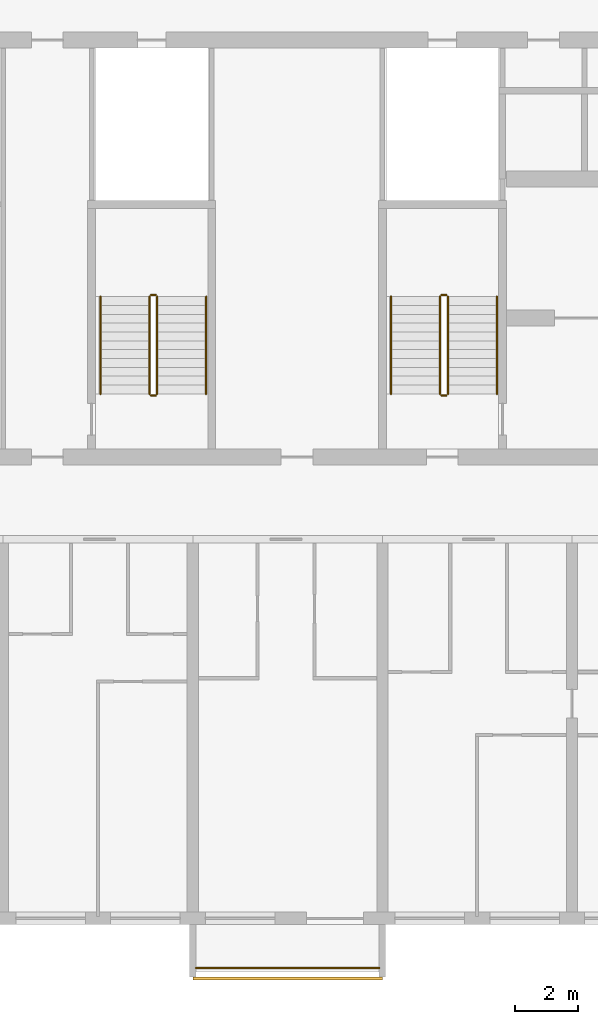
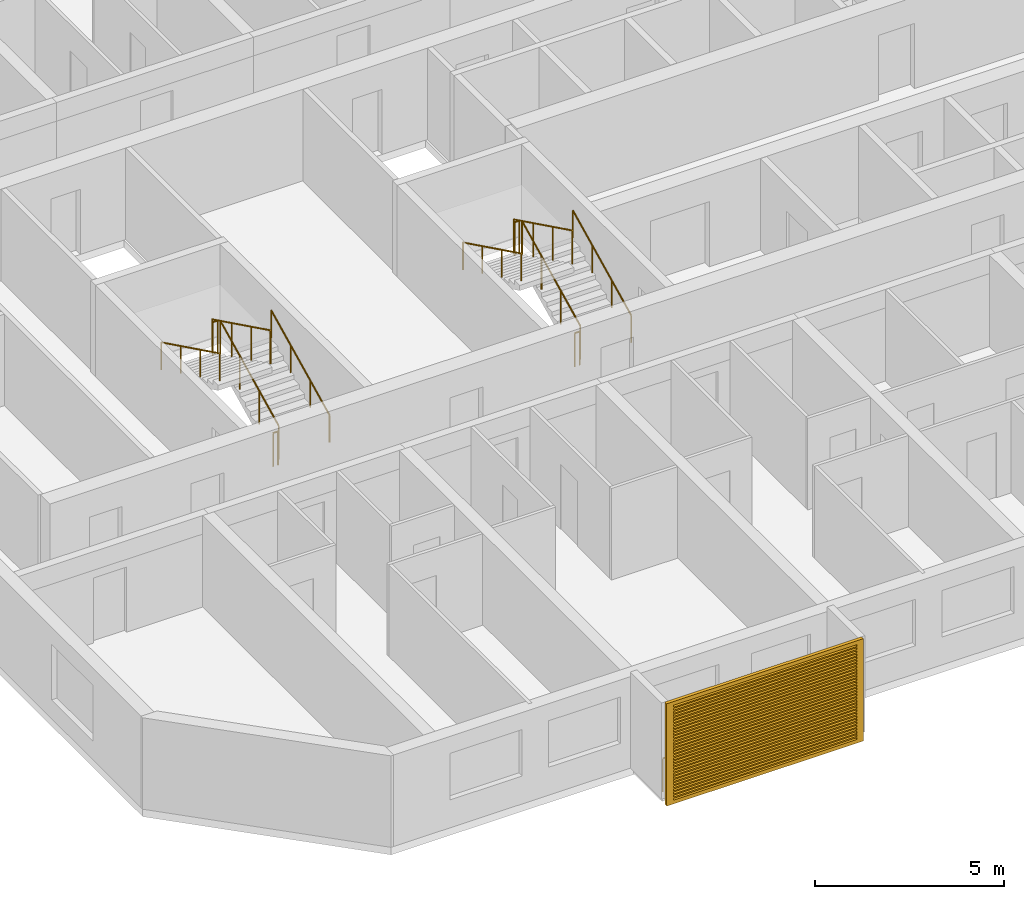
# One storey, part 15 of 24: 13 railings, 1 shading device.
"""IFC4 building model written with IfcOpenShell, lengths in metres."""

from ifc_helpers import new_model, si_unit, direction, frame, origin, origin_2d, place, context, subcontext, project, spatial, polyline, circle, outline, extrude, source, transform, mapped, material, material_profile, profile_set, type_object, element, save


model = new_model("IFC4")

# Units and contexts
model_context = context("Model", 3, precision=1e-05, world=origin(), true_north=direction((0.0, 1.0)))
body_context = subcontext(model_context, "Body", "Model", "MODEL_VIEW")
ifc_project = project(units=[si_unit("LENGTHUNIT", "METRE"), si_unit("AREAUNIT", "SQUARE_METRE"), si_unit("VOLUMEUNIT", "CUBIC_METRE"), si_unit("PLANEANGLEUNIT", "RADIAN"), si_unit("MASSUNIT", "GRAM", prefix="KILO")], contexts=[model_context])

# Site, building, storey
site_placement = place(None, origin())
site = spatial("IfcSite", under=ifc_project, at=site_placement, CompositionType="ELEMENT")
building_placement = place(site_placement, origin())
building = spatial("IfcBuilding", under=site, at=building_placement, Name="Poui Terraces", CompositionType="ELEMENT")
storey_placement = place(building_placement, frame((0.0, 0.0, 112.5)))
storey = spatial("IfcBuildingStorey", under=building, at=storey_placement, Name="L31", CompositionType="ELEMENT", Elevation=112.5)

# Railings
ifc_material_1 = material(Name="Painted steel fretwork", Category="steel")
railing_type_1 = type_object("IfcRailingType", Name="BALCONY GUARD 1100", PredefinedType="GUARDRAIL", material=ifc_material_1)
railing_1_placement = place(storey_placement, frame((24.10009765625, -1.570068359375, 0.0)))
element("IfcRailing", 1, at=railing_1_placement, inside=storey, type_object=railing_type_1, Name="BALCONY GUARD", PredefinedType="GUARDRAIL", context=body_context, shape_type="SweptSolid", body=[
    extrude(circle(Radius=0.02392578125, at=origin_2d()), frame((0.0, 0.0, 1.076171875), z_axis=(1.0, 0.0, 0.0), x_axis=(0.0, 1.0, 0.0)), (0.0, 0.0, 1.0), 5.7998046875),
    extrude(circle(Radius=0.02099609375, at=origin_2d()), origin(), (0.0, 0.0, 1.0), 1.052001953125),
    extrude(circle(Radius=0.02099609375, at=origin_2d()), frame((0.966552734375, 0.0, 0.0)), (0.0, 0.0, 1.0), 1.052001953125),
    extrude(circle(Radius=0.02099609375, at=origin_2d()), frame((1.933349609375, 0.0, 0.0)), (0.0, 0.0, 1.0), 1.052001953125),
    extrude(circle(Radius=0.02099609375, at=origin_2d()), frame((2.89990234375, 0.0, 0.0)), (0.0, 0.0, 1.0), 1.052001953125),
    extrude(circle(Radius=0.02099609375, at=origin_2d()), frame((3.866455078125, 0.0, 0.0)), (0.0, 0.0, 1.0), 1.052001953125),
    extrude(circle(Radius=0.02099609375, at=origin_2d()), frame((4.833251953125, 0.0, 0.0)), (0.0, 0.0, 1.0), 1.052001953125),
    extrude(circle(Radius=0.02099609375, at=origin_2d()), frame((5.7998046875, 0.0, 0.0)), (0.0, 0.0, 1.0), 1.052001953125),
])
ifc_material_2 = material(Name="Galvanised steel balustrade", Category="steel")
railing_type_2 = type_object("IfcRailingType", Name="STAIR GUARD 1100", PredefinedType="GUARDRAIL", material=ifc_material_2)
railing_2_placement = place(storey_placement, frame((32.074951171875, 16.60009765625, 0.137451171875)))
element("IfcRailing", 2, at=railing_2_placement, inside=storey, type_object=railing_type_2, Name="L31 ST-CW stair guard 1", PredefinedType="GUARDRAIL", context=body_context, shape_type="SweptSolid", body=[
    extrude(circle(Radius=0.02392578125, at=origin_2d()), frame((0.0, 0.0, 1.076171875), z_axis=(0.0, 0.897606190399, 0.440798283751), x_axis=(-1.0, 0.0, 0.0)), (0.0, 0.0, 1.0), 3.43115234375),
    extrude(circle(Radius=0.02099609375, at=origin_2d()), origin(), (0.0, 0.0, 1.0), 1.052001953125),
    extrude(circle(Radius=0.02099609375, at=origin_2d()), frame((0.0, 1.026611328125, 0.504150390625)), (0.0, 0.0, 1.0), 1.052001953125),
    extrude(circle(Radius=0.02099609375, at=origin_2d()), frame((0.0, 2.05322265625, 1.00830078125)), (0.0, 0.0, 1.0), 1.052001953125),
    extrude(circle(Radius=0.02099609375, at=origin_2d()), frame((0.0, 3.079833984375, 1.512451171875)), (0.0, 0.0, 1.0), 1.052001953125),
])
railing_3_placement = place(storey_placement, frame((32.02490234375, 19.72998046875, 1.64990234375)))
element("IfcRailing", 3, at=railing_3_placement, inside=storey, type_object=railing_type_2, Name="L31 ST-CW stair guard 2", PredefinedType="GUARDRAIL", context=body_context, shape_type="SweptSolid", body=[
    extrude(circle(Radius=0.02392578125, at=origin_2d()), frame((0.0, 0.0, 1.076171875), z_axis=(-1.0, 0.0, 0.0), x_axis=(0.0, -1.0, 0.0)), (0.0, 0.0, 1.0), 0.14990234375),
    extrude(circle(Radius=0.02099609375, at=origin_2d()), origin(), (0.0, 0.0, 1.0), 1.052001953125),
    extrude(circle(Radius=0.02099609375, at=origin_2d()), frame((-0.14990234375, 0.0, 0.0)), (0.0, 0.0, 1.0), 1.052001953125),
])
railing_4_placement = place(storey_placement, frame((31.824951171875, 19.679931640625, 1.78759765625)))
element("IfcRailing", 4, at=railing_4_placement, inside=storey, type_object=railing_type_2, Name="L31 ST-CW stair guard 3", PredefinedType="GUARDRAIL", context=body_context, shape_type="SweptSolid", body=[
    extrude(circle(Radius=0.02392578125, at=origin_2d()), frame((0.0, 0.0, 1.076171875), z_axis=(0.0, -0.897606190399, 0.440798283751), x_axis=(1.0, 0.0, 0.0)), (0.0, 0.0, 1.0), 3.43115234375),
    extrude(circle(Radius=0.02099609375, at=origin_2d()), origin(), (0.0, 0.0, 1.0), 1.052001953125),
    extrude(circle(Radius=0.02099609375, at=origin_2d()), frame((0.0, -1.026611328125, 0.504150390625)), (0.0, 0.0, 1.0), 1.052001953125),
    extrude(circle(Radius=0.02099609375, at=origin_2d()), frame((0.0, -2.05322265625, 1.00830078125)), (0.0, 0.0, 1.0), 1.052001953125),
    extrude(circle(Radius=0.02099609375, at=origin_2d()), frame((0.0, -3.079833984375, 1.512451171875)), (0.0, 0.0, 1.0), 1.052001953125),
])
railing_5_placement = place(storey_placement, frame((32.02490234375, 16.550048828125, 0.0)))
element("IfcRailing", 5, at=railing_5_placement, inside=storey, type_object=railing_type_2, Name="L31 ST-CW stair guard 4", PredefinedType="GUARDRAIL", context=body_context, shape_type="SweptSolid", body=[
    extrude(circle(Radius=0.02392578125, at=origin_2d()), frame((0.0, 0.0, 1.076171875), z_axis=(-1.0, 0.0, 0.0), x_axis=(0.0, -1.0, 0.0)), (0.0, 0.0, 1.0), 0.14990234375),
    extrude(circle(Radius=0.02099609375, at=origin_2d()), origin(), (0.0, 0.0, 1.0), 1.052001953125),
    extrude(circle(Radius=0.02099609375, at=origin_2d()), frame((-0.14990234375, 0.0, 0.0)), (0.0, 0.0, 1.0), 1.052001953125),
])
railing_6_placement = place(storey_placement, frame((22.875, 16.60009765625, 0.137451171875)))
element("IfcRailing", 6, at=railing_6_placement, inside=storey, type_object=railing_type_2, Name="L31 ST-W stair guard 1", PredefinedType="GUARDRAIL", context=body_context, shape_type="SweptSolid", body=[
    extrude(circle(Radius=0.02392578125, at=origin_2d()), frame((0.0, 0.0, 1.076171875), z_axis=(0.0, 0.897606190399, 0.440798283751), x_axis=(-1.0, 0.0, 0.0)), (0.0, 0.0, 1.0), 3.43115234375),
    extrude(circle(Radius=0.02099609375, at=origin_2d()), origin(), (0.0, 0.0, 1.0), 1.052001953125),
    extrude(circle(Radius=0.02099609375, at=origin_2d()), frame((0.0, 1.026611328125, 0.504150390625)), (0.0, 0.0, 1.0), 1.052001953125),
    extrude(circle(Radius=0.02099609375, at=origin_2d()), frame((0.0, 2.05322265625, 1.00830078125)), (0.0, 0.0, 1.0), 1.052001953125),
    extrude(circle(Radius=0.02099609375, at=origin_2d()), frame((0.0, 3.079833984375, 1.512451171875)), (0.0, 0.0, 1.0), 1.052001953125),
])
railing_7_placement = place(storey_placement, frame((22.824951171875, 19.72998046875, 1.64990234375)))
element("IfcRailing", 7, at=railing_7_placement, inside=storey, type_object=railing_type_2, Name="L31 ST-W stair guard 2", PredefinedType="GUARDRAIL", context=body_context, shape_type="SweptSolid", body=[
    extrude(circle(Radius=0.02392578125, at=origin_2d()), frame((0.0, 0.0, 1.076171875), z_axis=(-1.0, 0.0, 0.0), x_axis=(0.0, -1.0, 0.0)), (0.0, 0.0, 1.0), 0.14990234375),
    extrude(circle(Radius=0.02099609375, at=origin_2d()), origin(), (0.0, 0.0, 1.0), 1.052001953125),
    extrude(circle(Radius=0.02099609375, at=origin_2d()), frame((-0.14990234375, 0.0, 0.0)), (0.0, 0.0, 1.0), 1.052001953125),
])
railing_8_placement = place(storey_placement, frame((22.625, 19.679931640625, 1.78759765625)))
element("IfcRailing", 8, at=railing_8_placement, inside=storey, type_object=railing_type_2, Name="L31 ST-W stair guard 3", PredefinedType="GUARDRAIL", context=body_context, shape_type="SweptSolid", body=[
    extrude(circle(Radius=0.02392578125, at=origin_2d()), frame((0.0, 0.0, 1.076171875), z_axis=(0.0, -0.897606190399, 0.440798283751), x_axis=(1.0, 0.0, 0.0)), (0.0, 0.0, 1.0), 3.43115234375),
    extrude(circle(Radius=0.02099609375, at=origin_2d()), origin(), (0.0, 0.0, 1.0), 1.052001953125),
    extrude(circle(Radius=0.02099609375, at=origin_2d()), frame((0.0, -1.026611328125, 0.504150390625)), (0.0, 0.0, 1.0), 1.052001953125),
    extrude(circle(Radius=0.02099609375, at=origin_2d()), frame((0.0, -2.05322265625, 1.00830078125)), (0.0, 0.0, 1.0), 1.052001953125),
    extrude(circle(Radius=0.02099609375, at=origin_2d()), frame((0.0, -3.079833984375, 1.512451171875)), (0.0, 0.0, 1.0), 1.052001953125),
])
railing_9_placement = place(storey_placement, frame((22.824951171875, 16.550048828125, 0.0)))
element("IfcRailing", 9, at=railing_9_placement, inside=storey, type_object=railing_type_2, Name="L31 ST-W stair guard 4", PredefinedType="GUARDRAIL", context=body_context, shape_type="SweptSolid", body=[
    extrude(circle(Radius=0.02392578125, at=origin_2d()), frame((0.0, 0.0, 1.076171875), z_axis=(-1.0, 0.0, 0.0), x_axis=(0.0, -1.0, 0.0)), (0.0, 0.0, 1.0), 0.14990234375),
    extrude(circle(Radius=0.02099609375, at=origin_2d()), origin(), (0.0, 0.0, 1.0), 1.052001953125),
    extrude(circle(Radius=0.02099609375, at=origin_2d()), frame((-0.14990234375, 0.0, 0.0)), (0.0, 0.0, 1.0), 1.052001953125),
])
ifc_material_3 = material(Name="Stainless steel handrail", Category="steel")
railing_type_3 = type_object("IfcRailingType", Name="STAIR HANDRAIL 900", PredefinedType="HANDRAIL", material=ifc_material_3)
railing_10_placement = place(storey_placement, frame((33.625, 16.60009765625, 0.137451171875)))
element("IfcRailing", 10, at=railing_10_placement, inside=storey, type_object=railing_type_3, Name="L31 ST-CW stair handrail 1", PredefinedType="HANDRAIL", context=body_context, shape_type="SweptSolid", body=[
    extrude(circle(Radius=0.02392578125, at=origin_2d()), frame((0.0, 0.0, 0.8759765625), z_axis=(0.0, 0.897606190399, 0.440798283751), x_axis=(-1.0, 0.0, 0.0)), (0.0, 0.0, 1.0), 3.43115234375),
    extrude(circle(Radius=0.02099609375, at=origin_2d()), origin(), (0.0, 0.0, 1.0), 0.851806640625),
    extrude(circle(Radius=0.02099609375, at=origin_2d()), frame((0.0, 1.026611328125, 0.504150390625)), (0.0, 0.0, 1.0), 0.851806640625),
    extrude(circle(Radius=0.02099609375, at=origin_2d()), frame((0.0, 2.05322265625, 1.00830078125)), (0.0, 0.0, 1.0), 0.851806640625),
    extrude(circle(Radius=0.02099609375, at=origin_2d()), frame((0.0, 3.079833984375, 1.512451171875)), (0.0, 0.0, 1.0), 0.851806640625),
])
railing_11_placement = place(storey_placement, frame((30.27490234375, 19.679931640625, 1.78759765625)))
element("IfcRailing", 11, at=railing_11_placement, inside=storey, type_object=railing_type_3, Name="L31 ST-CW stair handrail 2", PredefinedType="HANDRAIL", context=body_context, shape_type="SweptSolid", body=[
    extrude(circle(Radius=0.02392578125, at=origin_2d()), frame((0.0, 0.0, 0.8759765625), z_axis=(0.0, -0.897606190399, 0.440798283751), x_axis=(1.0, 0.0, 0.0)), (0.0, 0.0, 1.0), 3.43115234375),
    extrude(circle(Radius=0.02099609375, at=origin_2d()), origin(), (0.0, 0.0, 1.0), 0.851806640625),
    extrude(circle(Radius=0.02099609375, at=origin_2d()), frame((0.0, -1.026611328125, 0.504150390625)), (0.0, 0.0, 1.0), 0.851806640625),
    extrude(circle(Radius=0.02099609375, at=origin_2d()), frame((0.0, -2.05322265625, 1.00830078125)), (0.0, 0.0, 1.0), 0.851806640625),
    extrude(circle(Radius=0.02099609375, at=origin_2d()), frame((0.0, -3.079833984375, 1.512451171875)), (0.0, 0.0, 1.0), 0.851806640625),
])
railing_12_placement = place(storey_placement, frame((24.425048828125, 16.60009765625, 0.137451171875)))
element("IfcRailing", 12, at=railing_12_placement, inside=storey, type_object=railing_type_3, Name="L31 ST-W stair handrail 1", PredefinedType="HANDRAIL", context=body_context, shape_type="SweptSolid", body=[
    extrude(circle(Radius=0.02392578125, at=origin_2d()), frame((0.0, 0.0, 0.8759765625), z_axis=(0.0, 0.897606190399, 0.440798283751), x_axis=(-1.0, 0.0, 0.0)), (0.0, 0.0, 1.0), 3.43115234375),
    extrude(circle(Radius=0.02099609375, at=origin_2d()), origin(), (0.0, 0.0, 1.0), 0.851806640625),
    extrude(circle(Radius=0.02099609375, at=origin_2d()), frame((0.0, 1.026611328125, 0.504150390625)), (0.0, 0.0, 1.0), 0.851806640625),
    extrude(circle(Radius=0.02099609375, at=origin_2d()), frame((0.0, 2.05322265625, 1.00830078125)), (0.0, 0.0, 1.0), 0.851806640625),
    extrude(circle(Radius=0.02099609375, at=origin_2d()), frame((0.0, 3.079833984375, 1.512451171875)), (0.0, 0.0, 1.0), 0.851806640625),
])
railing_13_placement = place(storey_placement, frame((21.074951171875, 19.679931640625, 1.78759765625)))
element("IfcRailing", 13, at=railing_13_placement, inside=storey, type_object=railing_type_3, Name="L31 ST-W stair handrail 2", PredefinedType="HANDRAIL", context=body_context, shape_type="SweptSolid", body=[
    extrude(circle(Radius=0.02392578125, at=origin_2d()), frame((0.0, 0.0, 0.8759765625), z_axis=(0.0, -0.897606190399, 0.440798283751), x_axis=(1.0, 0.0, 0.0)), (0.0, 0.0, 1.0), 3.43115234375),
    extrude(circle(Radius=0.02099609375, at=origin_2d()), origin(), (0.0, 0.0, 1.0), 0.851806640625),
    extrude(circle(Radius=0.02099609375, at=origin_2d()), frame((0.0, -1.026611328125, 0.504150390625)), (0.0, 0.0, 1.0), 0.851806640625),
    extrude(circle(Radius=0.02099609375, at=origin_2d()), frame((0.0, -2.05322265625, 1.00830078125)), (0.0, 0.0, 1.0), 0.851806640625),
    extrude(circle(Radius=0.02099609375, at=origin_2d()), frame((0.0, -3.079833984375, 1.512451171875)), (0.0, 0.0, 1.0), 0.851806640625),
])

# Shading device
ifc_material_4 = material(Name="Aluminium louvre", Category="aluminium")
ifc_material_profile = material_profile(ifc_material_4, outline(polyline([(-3.0, -1.64990234375), (3.0, -1.64990234375), (3.0, 1.64990234375), (-3.0, 1.64990234375), (-3.0, -1.64990234375)]), holes=[polyline([(-2.800048828125, -1.530029296875), (2.800048828125, -1.530029296875), (2.800048828125, -1.469970703125), (-2.800048828125, -1.469970703125), (-2.800048828125, -1.530029296875)]), polyline([(-2.800048828125, -1.429931640625), (2.800048828125, -1.429931640625), (2.800048828125, -1.3701171875), (-2.800048828125, -1.3701171875), (-2.800048828125, -1.429931640625)]), polyline([(-2.800048828125, -1.330078125), (2.800048828125, -1.330078125), (2.800048828125, -1.27001953125), (-2.800048828125, -1.27001953125), (-2.800048828125, -1.330078125)]), polyline([(-2.800048828125, -1.22998046875), (2.800048828125, -1.22998046875), (2.800048828125, -1.169921875), (-2.800048828125, -1.169921875), (-2.800048828125, -1.22998046875)]), polyline([(-2.800048828125, -1.1298828125), (2.800048828125, -1.1298828125), (2.800048828125, -1.070068359375), (-2.800048828125, -1.070068359375), (-2.800048828125, -1.1298828125)]), polyline([(-2.800048828125, -1.030029296875), (2.800048828125, -1.030029296875), (2.800048828125, -0.969970703125), (-2.800048828125, -0.969970703125), (-2.800048828125, -1.030029296875)]), polyline([(-2.800048828125, -0.929931640625), (2.800048828125, -0.929931640625), (2.800048828125, -0.8701171875), (-2.800048828125, -0.8701171875), (-2.800048828125, -0.929931640625)]), polyline([(-2.800048828125, -0.830078125), (2.800048828125, -0.830078125), (2.800048828125, -0.77001953125), (-2.800048828125, -0.77001953125), (-2.800048828125, -0.830078125)]), polyline([(-2.800048828125, -0.72998046875), (2.800048828125, -0.72998046875), (2.800048828125, -0.669921875), (-2.800048828125, -0.669921875), (-2.800048828125, -0.72998046875)]), polyline([(-2.800048828125, -0.6298828125), (2.800048828125, -0.6298828125), (2.800048828125, -0.570068359375), (-2.800048828125, -0.570068359375), (-2.800048828125, -0.6298828125)]), polyline([(-2.800048828125, -0.530029296875), (2.800048828125, -0.530029296875), (2.800048828125, -0.469970703125), (-2.800048828125, -0.469970703125), (-2.800048828125, -0.530029296875)]), polyline([(-2.800048828125, -0.429931640625), (2.800048828125, -0.429931640625), (2.800048828125, -0.3701171875), (-2.800048828125, -0.3701171875), (-2.800048828125, -0.429931640625)]), polyline([(-2.800048828125, -0.330078125), (2.800048828125, -0.330078125), (2.800048828125, -0.27001953125), (-2.800048828125, -0.27001953125), (-2.800048828125, -0.330078125)]), polyline([(-2.800048828125, -0.22998046875), (2.800048828125, -0.22998046875), (2.800048828125, -0.169921875), (-2.800048828125, -0.169921875), (-2.800048828125, -0.22998046875)]), polyline([(-2.800048828125, -0.1298828125), (2.800048828125, -0.1298828125), (2.800048828125, -0.070068359375), (-2.800048828125, -0.070068359375), (-2.800048828125, -0.1298828125)]), polyline([(-2.800048828125, -0.030029296875), (2.800048828125, -0.030029296875), (2.800048828125, 0.030029296875), (-2.800048828125, 0.030029296875), (-2.800048828125, -0.030029296875)]), polyline([(-2.800048828125, 0.070068359375), (2.800048828125, 0.070068359375), (2.800048828125, 0.1298828125), (-2.800048828125, 0.1298828125), (-2.800048828125, 0.070068359375)]), polyline([(-2.800048828125, 0.169921875), (2.800048828125, 0.169921875), (2.800048828125, 0.22998046875), (-2.800048828125, 0.22998046875), (-2.800048828125, 0.169921875)]), polyline([(-2.800048828125, 0.27001953125), (2.800048828125, 0.27001953125), (2.800048828125, 0.330078125), (-2.800048828125, 0.330078125), (-2.800048828125, 0.27001953125)]), polyline([(-2.800048828125, 0.3701171875), (2.800048828125, 0.3701171875), (2.800048828125, 0.429931640625), (-2.800048828125, 0.429931640625), (-2.800048828125, 0.3701171875)]), polyline([(-2.800048828125, 0.469970703125), (2.800048828125, 0.469970703125), (2.800048828125, 0.530029296875), (-2.800048828125, 0.530029296875), (-2.800048828125, 0.469970703125)]), polyline([(-2.800048828125, 0.570068359375), (2.800048828125, 0.570068359375), (2.800048828125, 0.6298828125), (-2.800048828125, 0.6298828125), (-2.800048828125, 0.570068359375)]), polyline([(-2.800048828125, 0.669921875), (2.800048828125, 0.669921875), (2.800048828125, 0.72998046875), (-2.800048828125, 0.72998046875), (-2.800048828125, 0.669921875)]), polyline([(-2.800048828125, 0.77001953125), (2.800048828125, 0.77001953125), (2.800048828125, 0.830078125), (-2.800048828125, 0.830078125), (-2.800048828125, 0.77001953125)]), polyline([(-2.800048828125, 0.8701171875), (2.800048828125, 0.8701171875), (2.800048828125, 0.929931640625), (-2.800048828125, 0.929931640625), (-2.800048828125, 0.8701171875)]), polyline([(-2.800048828125, 0.969970703125), (2.800048828125, 0.969970703125), (2.800048828125, 1.030029296875), (-2.800048828125, 1.030029296875), (-2.800048828125, 0.969970703125)]), polyline([(-2.800048828125, 1.070068359375), (2.800048828125, 1.070068359375), (2.800048828125, 1.1298828125), (-2.800048828125, 1.1298828125), (-2.800048828125, 1.070068359375)]), polyline([(-2.800048828125, 1.169921875), (2.800048828125, 1.169921875), (2.800048828125, 1.22998046875), (-2.800048828125, 1.22998046875), (-2.800048828125, 1.169921875)]), polyline([(-2.800048828125, 1.27001953125), (2.800048828125, 1.27001953125), (2.800048828125, 1.330078125), (-2.800048828125, 1.330078125), (-2.800048828125, 1.27001953125)]), polyline([(-2.800048828125, 1.3701171875), (2.800048828125, 1.3701171875), (2.800048828125, 1.429931640625), (-2.800048828125, 1.429931640625), (-2.800048828125, 1.3701171875)]), polyline([(-2.800048828125, 1.469970703125), (2.800048828125, 1.469970703125), (2.800048828125, 1.530029296875), (-2.800048828125, 1.530029296875), (-2.800048828125, 1.469970703125)])]), Name="JALOUSIE LOUVRE SHUTTER 6000X3300")
ifc_profile_set = profile_set([ifc_material_profile], Name="Aluminium louvre")
shading_device_type = type_object("IfcShadingDeviceType", Name="JALOUSIE LOUVRE SHUTTER 6000X3300", PredefinedType="JALOUSIE", material=ifc_profile_set)
shared_shape = source(origin(), body_context, "Body", "SweptSolid", [
    extrude(outline(polyline([(-3.0, -1.64990234375), (3.0, -1.64990234375), (3.0, 1.64990234375), (-3.0, 1.64990234375), (-3.0, -1.64990234375)]), holes=[polyline([(-2.800048828125, -1.530029296875), (2.800048828125, -1.530029296875), (2.800048828125, -1.469970703125), (-2.800048828125, -1.469970703125), (-2.800048828125, -1.530029296875)]), polyline([(-2.800048828125, -1.429931640625), (2.800048828125, -1.429931640625), (2.800048828125, -1.3701171875), (-2.800048828125, -1.3701171875), (-2.800048828125, -1.429931640625)]), polyline([(-2.800048828125, -1.330078125), (2.800048828125, -1.330078125), (2.800048828125, -1.27001953125), (-2.800048828125, -1.27001953125), (-2.800048828125, -1.330078125)]), polyline([(-2.800048828125, -1.22998046875), (2.800048828125, -1.22998046875), (2.800048828125, -1.169921875), (-2.800048828125, -1.169921875), (-2.800048828125, -1.22998046875)]), polyline([(-2.800048828125, -1.1298828125), (2.800048828125, -1.1298828125), (2.800048828125, -1.070068359375), (-2.800048828125, -1.070068359375), (-2.800048828125, -1.1298828125)]), polyline([(-2.800048828125, -1.030029296875), (2.800048828125, -1.030029296875), (2.800048828125, -0.969970703125), (-2.800048828125, -0.969970703125), (-2.800048828125, -1.030029296875)]), polyline([(-2.800048828125, -0.929931640625), (2.800048828125, -0.929931640625), (2.800048828125, -0.8701171875), (-2.800048828125, -0.8701171875), (-2.800048828125, -0.929931640625)]), polyline([(-2.800048828125, -0.830078125), (2.800048828125, -0.830078125), (2.800048828125, -0.77001953125), (-2.800048828125, -0.77001953125), (-2.800048828125, -0.830078125)]), polyline([(-2.800048828125, -0.72998046875), (2.800048828125, -0.72998046875), (2.800048828125, -0.669921875), (-2.800048828125, -0.669921875), (-2.800048828125, -0.72998046875)]), polyline([(-2.800048828125, -0.6298828125), (2.800048828125, -0.6298828125), (2.800048828125, -0.570068359375), (-2.800048828125, -0.570068359375), (-2.800048828125, -0.6298828125)]), polyline([(-2.800048828125, -0.530029296875), (2.800048828125, -0.530029296875), (2.800048828125, -0.469970703125), (-2.800048828125, -0.469970703125), (-2.800048828125, -0.530029296875)]), polyline([(-2.800048828125, -0.429931640625), (2.800048828125, -0.429931640625), (2.800048828125, -0.3701171875), (-2.800048828125, -0.3701171875), (-2.800048828125, -0.429931640625)]), polyline([(-2.800048828125, -0.330078125), (2.800048828125, -0.330078125), (2.800048828125, -0.27001953125), (-2.800048828125, -0.27001953125), (-2.800048828125, -0.330078125)]), polyline([(-2.800048828125, -0.22998046875), (2.800048828125, -0.22998046875), (2.800048828125, -0.169921875), (-2.800048828125, -0.169921875), (-2.800048828125, -0.22998046875)]), polyline([(-2.800048828125, -0.1298828125), (2.800048828125, -0.1298828125), (2.800048828125, -0.070068359375), (-2.800048828125, -0.070068359375), (-2.800048828125, -0.1298828125)]), polyline([(-2.800048828125, -0.030029296875), (2.800048828125, -0.030029296875), (2.800048828125, 0.030029296875), (-2.800048828125, 0.030029296875), (-2.800048828125, -0.030029296875)]), polyline([(-2.800048828125, 0.070068359375), (2.800048828125, 0.070068359375), (2.800048828125, 0.1298828125), (-2.800048828125, 0.1298828125), (-2.800048828125, 0.070068359375)]), polyline([(-2.800048828125, 0.169921875), (2.800048828125, 0.169921875), (2.800048828125, 0.22998046875), (-2.800048828125, 0.22998046875), (-2.800048828125, 0.169921875)]), polyline([(-2.800048828125, 0.27001953125), (2.800048828125, 0.27001953125), (2.800048828125, 0.330078125), (-2.800048828125, 0.330078125), (-2.800048828125, 0.27001953125)]), polyline([(-2.800048828125, 0.3701171875), (2.800048828125, 0.3701171875), (2.800048828125, 0.429931640625), (-2.800048828125, 0.429931640625), (-2.800048828125, 0.3701171875)]), polyline([(-2.800048828125, 0.469970703125), (2.800048828125, 0.469970703125), (2.800048828125, 0.530029296875), (-2.800048828125, 0.530029296875), (-2.800048828125, 0.469970703125)]), polyline([(-2.800048828125, 0.570068359375), (2.800048828125, 0.570068359375), (2.800048828125, 0.6298828125), (-2.800048828125, 0.6298828125), (-2.800048828125, 0.570068359375)]), polyline([(-2.800048828125, 0.669921875), (2.800048828125, 0.669921875), (2.800048828125, 0.72998046875), (-2.800048828125, 0.72998046875), (-2.800048828125, 0.669921875)]), polyline([(-2.800048828125, 0.77001953125), (2.800048828125, 0.77001953125), (2.800048828125, 0.830078125), (-2.800048828125, 0.830078125), (-2.800048828125, 0.77001953125)]), polyline([(-2.800048828125, 0.8701171875), (2.800048828125, 0.8701171875), (2.800048828125, 0.929931640625), (-2.800048828125, 0.929931640625), (-2.800048828125, 0.8701171875)]), polyline([(-2.800048828125, 0.969970703125), (2.800048828125, 0.969970703125), (2.800048828125, 1.030029296875), (-2.800048828125, 1.030029296875), (-2.800048828125, 0.969970703125)]), polyline([(-2.800048828125, 1.070068359375), (2.800048828125, 1.070068359375), (2.800048828125, 1.1298828125), (-2.800048828125, 1.1298828125), (-2.800048828125, 1.070068359375)]), polyline([(-2.800048828125, 1.169921875), (2.800048828125, 1.169921875), (2.800048828125, 1.22998046875), (-2.800048828125, 1.22998046875), (-2.800048828125, 1.169921875)]), polyline([(-2.800048828125, 1.27001953125), (2.800048828125, 1.27001953125), (2.800048828125, 1.330078125), (-2.800048828125, 1.330078125), (-2.800048828125, 1.27001953125)]), polyline([(-2.800048828125, 1.3701171875), (2.800048828125, 1.3701171875), (2.800048828125, 1.429931640625), (-2.800048828125, 1.429931640625), (-2.800048828125, 1.3701171875)]), polyline([(-2.800048828125, 1.469970703125), (2.800048828125, 1.469970703125), (2.800048828125, 1.530029296875), (-2.800048828125, 1.530029296875), (-2.800048828125, 1.469970703125)])]), origin(), (0.0, 0.0, 1.0), 0.099853515625),
])
shading_device_placement = place(storey_placement, frame((27.0, -1.85009765625, 1.449951171875), z_axis=(0.0, -1.0, 0.0), x_axis=(1.0, 0.0, 0.0)))
element("IfcShadingDevice", 14, at=shading_device_placement, inside=storey, type_object=shading_device_type, Name="JALOUSIE LOUVRE SHUTTER", PredefinedType="JALOUSIE", context=body_context, shape_type="MappedRepresentation", body=[
    mapped(shared_shape, transform((0.0, 0.0, 0.0))),
])

save(model, "model.ifc")
